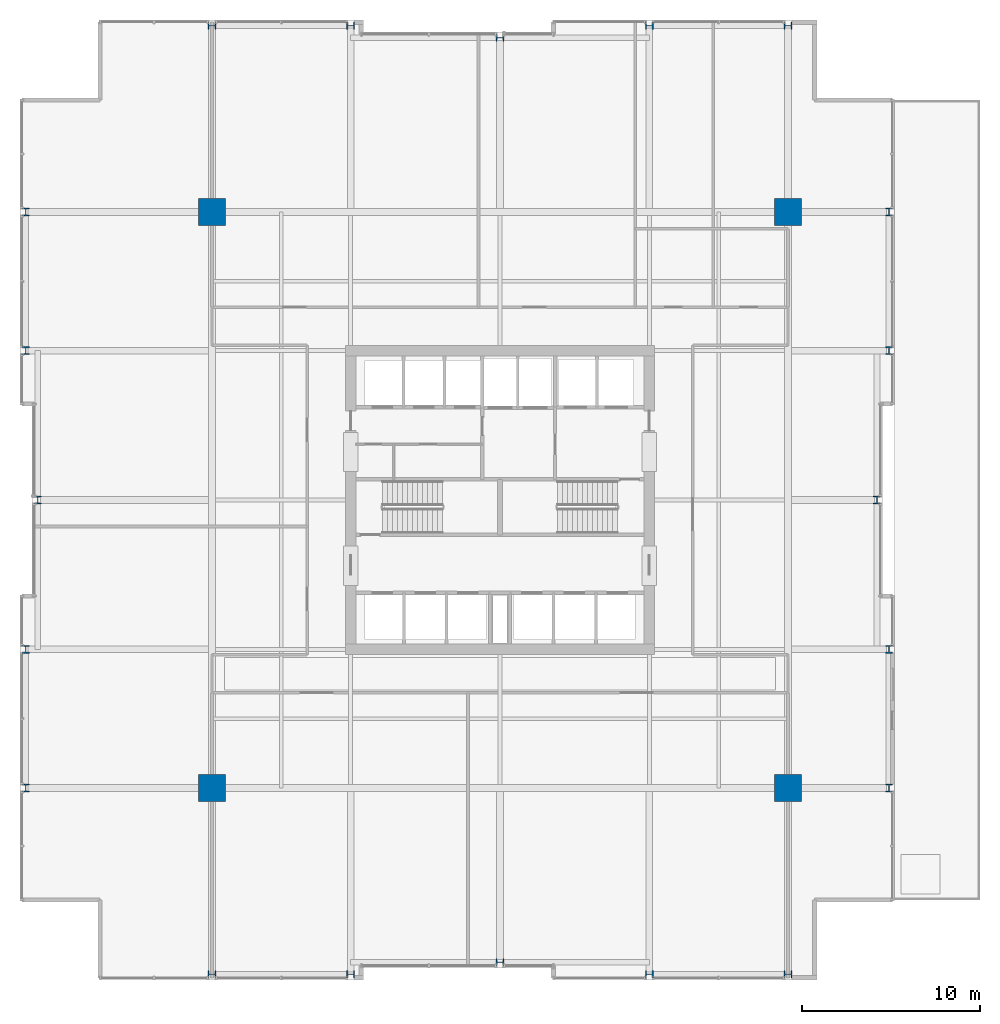
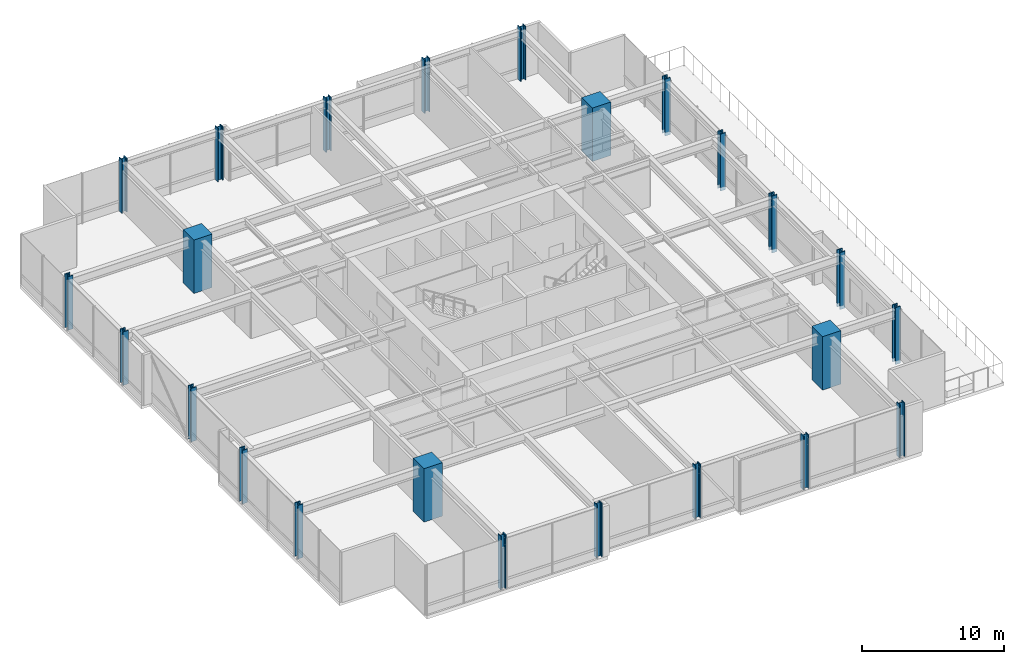
# One storey, part 1 of 33: 24 columns.
"""IFC4 building model written with IfcOpenShell, lengths in metres."""

import ifcopenshell
import ifcopenshell.guid

model = None  # the IFC model being written
_history = None  # IfcOwnerHistory: only IFC2X3 demands one
_inside = {}  # id of a spatial element -> (the spatial element, [elements in it])
_under = {}  # id of a project, library or spatial element -> (it, [spatial elements below it])
_declared = {}  # id of a project -> (the project, [libraries it declares])
_typed = {}  # id of a type object -> (the type object, [elements of that type])
_made_of = {}  # id of a material, layer set ... -> (it, [elements and type objects made of it])


def new_model(schema):
    """Start an empty IFC model of exactly this schema.

    Asked for "IFC4X3", IfcOpenShell would pick the latest addendum, in which some entities
    have other attributes; the version numbers below select the first issue.
    IFC2X3 requires an IfcOwnerHistory on every rooted entity: one is made here for all.
    """
    global model, _history
    if schema == "IFC4X3":
        model = ifcopenshell.file(schema_version=(4, 3, 0, 0))
    else:
        model = ifcopenshell.file(schema=schema)
    _inside.clear()
    _under.clear()
    _declared.clear()
    _typed.clear()
    _made_of.clear()
    _history = None
    if model.schema == "IFC2X3":
        org = make("IfcOrganization", Name="unknown")
        user = make(
            "IfcPersonAndOrganization",
            ThePerson=make("IfcPerson", FamilyName="unknown"),
            TheOrganization=org,
        )
        app = make(
            "IfcApplication",
            ApplicationDeveloper=org,
            Version="unknown",
            ApplicationFullName="unknown",
            ApplicationIdentifier="unknown",
        )
        _history = make(
            "IfcOwnerHistory",
            OwningUser=user,
            OwningApplication=app,
            ChangeAction="ADDED",
            CreationDate=0,
        )
    return model


def make(cls, **values):
    """One entity of the class cls with the attributes given. An attribute that is None is left unset."""
    return model.create_entity(
        cls, **{name: value for name, value in values.items() if value is not None}
    )


def rooted(cls, **values):
    """An entity with a GlobalId (a new one), such as an element, a storey or a relation."""
    return make(cls, GlobalId=ifcopenshell.guid.new(), OwnerHistory=_history, **values)


def si_unit(unit_type, name, prefix=None):
    """IfcSIUnit, for example si_unit("LENGTHUNIT", "METRE", prefix="MILLI")."""
    return make("IfcSIUnit", UnitType=unit_type, Prefix=prefix, Name=name)


def assignment(units):
    """IfcUnitAssignment: the units of a project."""
    return None if units is None else make("IfcUnitAssignment", Units=units)


def point(xyz):
    """IfcCartesianPoint."""
    return None if xyz is None else make("IfcCartesianPoint", Coordinates=xyz)


def direction(xyz):
    """IfcDirection."""
    return None if xyz is None else make("IfcDirection", DirectionRatios=xyz)


def frame(location, z_axis=None, x_axis=None):
    """IfcAxis2Placement3D, a coordinate frame: its origin and axes. An axis left out is left unset."""
    return make(
        "IfcAxis2Placement3D",
        Location=point(location),
        Axis=direction(z_axis),
        RefDirection=direction(x_axis),
    )


def frame_2d(location, x_axis=None):
    """IfcAxis2Placement2D, a coordinate frame in the plane: its origin and x axis."""
    return make(
        "IfcAxis2Placement2D", Location=point(location), RefDirection=direction(x_axis)
    )


def origin():
    """The frame at (0, 0, 0) with its axes left unset."""
    return frame((0.0, 0.0, 0.0))


def origin_2d():
    """The frame at (0, 0) in the plane with its x axis left unset."""
    return frame_2d((0.0, 0.0))


def place(relative_to, where):
    """IfcLocalPlacement: puts the frame where relative to a parent placement (None: the world)."""
    return make(
        "IfcLocalPlacement", PlacementRelTo=relative_to, RelativePlacement=where
    )


def context(
    kind, dimensions, precision=None, world=None, true_north=None, identifier=None
):
    """IfcGeometricRepresentationContext, for example the 3D "Model" context."""
    return make(
        "IfcGeometricRepresentationContext",
        ContextIdentifier=identifier,
        ContextType=kind,
        CoordinateSpaceDimension=dimensions,
        Precision=precision,
        WorldCoordinateSystem=world,
        TrueNorth=true_north,
    )


def subcontext(parent, identifier, kind, view, scale=None):
    """IfcGeometricRepresentationSubContext, for example "Body" below "Model"."""
    return make(
        "IfcGeometricRepresentationSubContext",
        ContextIdentifier=identifier,
        ContextType=kind,
        ParentContext=parent,
        TargetScale=scale,
        TargetView=view,
    )


def project(units=None, contexts=None):
    """IfcProject with its units and contexts."""
    return rooted(
        "IfcProject",
        Name="project",
        RepresentationContexts=contexts,
        UnitsInContext=assignment(units),
    )


def spatial(cls, under=None, at=None, **own):
    """A site, building, storey or space (cls), placed at a placement, below another one or the project."""
    s = rooted(cls, ObjectPlacement=at, **own)
    if under is not None:
        _under.setdefault(under.id(), (under, []))[1].append(s)
    return s


def profile(cls, at=None, kind="AREA", **sizes):
    """A parametric profile (cls). Its sizes go by their IFC names, for example OverallWidth=200.0."""
    return make(cls, ProfileType=kind, Position=at, **sizes)


def rectangle(**sizes):
    """IfcRectangleProfileDef."""
    return profile("IfcRectangleProfileDef", **sizes)


def i_section(**sizes):
    """IfcIShapeProfileDef."""
    return profile("IfcIShapeProfileDef", **sizes)


def extrude(swept, where, along, depth):
    """IfcExtrudedAreaSolid: the profile swept, set in the frame where, extruded along a direction by depth."""
    return make(
        "IfcExtrudedAreaSolid",
        SweptArea=swept,
        Position=where,
        ExtrudedDirection=direction(along),
        Depth=depth,
    )


def shape(context_of_items, identifier, shape_type, items):
    """IfcShapeRepresentation: the items that make up one representation, for example the "Body"."""
    return make(
        "IfcShapeRepresentation",
        ContextOfItems=context_of_items,
        RepresentationIdentifier=identifier,
        RepresentationType=shape_type,
        Items=items,
    )


def material(Name=None, Category=None):
    """IfcMaterial."""
    return make("IfcMaterial", Name=Name, Category=Category)


def material_profile(
    of_material, cross_section, Name=None, Category=None, Priority=None
):
    """IfcMaterialProfile: a cross section and its material."""
    return make(
        "IfcMaterialProfile",
        Name=Name,
        Material=of_material,
        Profile=cross_section,
        Priority=Priority,
        Category=Category,
    )


def profile_set(profiles, Name=None, composite=None):
    """IfcMaterialProfileSet."""
    return make(
        "IfcMaterialProfileSet",
        Name=Name,
        MaterialProfiles=profiles,
        CompositeProfile=composite,
    )


def made_of(thing, what):
    """Note that an element or type object is made of a material, layer set ...; save() writes the relation."""
    if what is not None:
        _made_of.setdefault(what.id(), (what, []))[1].append(thing)
    return thing


def type_object(cls, material=None, **own):
    """A type object (cls), such as IfcWallType, which elements share."""
    return made_of(rooted(cls, **own), material)


def element(
    cls,
    number,
    at=None,
    inside=None,
    cuts=None,
    type_object=None,
    material=None,
    context=None,
    identifier="Body",
    shape_type=None,
    held_by="IfcProductDefinitionShape",
    body=None,
    shapes=None,
    **own,
):
    """One element of the class cls, such as IfcWall. Its Tag is "e" and its number.

    at: its placement. inside: the storey or other place that contains it. cuts: it is an
    opening in that element (IfcRelVoidsElement). A single representation is given by context,
    identifier, shape_type and body (its items); several are given by shapes. held_by: the class
    of the entity that holds the representations. save() writes the other relations.
    """
    e = rooted(cls, Tag="e%d" % number, ObjectPlacement=at, **own)
    if body is not None:
        shapes = [shape(context, identifier, shape_type, body)]
    if shapes is not None:
        e.Representation = make(held_by, Representations=shapes)
    if inside is not None:
        _inside.setdefault(inside.id(), (inside, []))[1].append(e)
    if cuts is not None:
        rooted(
            "IfcRelVoidsElement", RelatingBuildingElement=cuts, RelatedOpeningElement=e
        )
    if type_object is not None:
        _typed.setdefault(type_object.id(), (type_object, []))[1].append(e)
    return made_of(e, material)


def aggregate(whole, parts):
    """IfcRelAggregates: a whole, such as a stair, and the parts it consists of."""
    return rooted("IfcRelAggregates", RelatingObject=whole, RelatedObjects=parts)


def save(model, path):
    """Write the relations noted so far, then the file.

    IfcRelAggregates (storeys below a building ...), IfcRelContainedInSpatialStructure (elements
    in a storey), IfcRelDefinesByType, IfcRelAssociatesMaterial and IfcRelDeclares: one each for
    every whole, place, type object, material and project.
    """
    for whole, parts in _under.values():
        aggregate(whole, parts)
    for where, things in _inside.values():
        rooted(
            "IfcRelContainedInSpatialStructure",
            RelatedElements=things,
            RelatingStructure=where,
        )
    for kind, things in _typed.values():
        rooted("IfcRelDefinesByType", RelatedObjects=things, RelatingType=kind)
    for what, things in _made_of.values():
        rooted("IfcRelAssociatesMaterial", RelatedObjects=things, RelatingMaterial=what)
    for by, libraries in _declared.values():
        rooted("IfcRelDeclares", RelatingContext=by, RelatedDefinitions=libraries)
    model.write(path)


model = new_model("IFC4")

# Units and contexts
model_context = context("Model", 3, precision=1e-05, world=origin(), true_north=direction((0.0, 1.0)))
body_context = subcontext(model_context, "Body", "Model", "MODEL_VIEW")
ifc_project = project(units=[si_unit("LENGTHUNIT", "METRE"), si_unit("AREAUNIT", "SQUARE_METRE"), si_unit("VOLUMEUNIT", "CUBIC_METRE"), si_unit("PLANEANGLEUNIT", "RADIAN"), si_unit("MASSUNIT", "GRAM", prefix="KILO")], contexts=[model_context])

# Site, building, storey
site_placement = place(None, origin())
site = spatial("IfcSite", under=ifc_project, at=site_placement, CompositionType="ELEMENT")
building_placement = place(site_placement, origin())
building = spatial("IfcBuilding", under=site, at=building_placement, Name="Drelvath Grand Hotel", CompositionType="ELEMENT")
storey_placement = place(building_placement, frame((0.0, 0.0, 87.199951171875)))
storey = spatial("IfcBuildingStorey", under=building, at=storey_placement, Name="L21", CompositionType="ELEMENT", Elevation=87.199951171875)

# Columns
ifc_material_1 = material(Name="Concrete f'c 70 MPa", Category="concrete")
ifc_material_profile_1 = material_profile(ifc_material_1, rectangle(XDim=1.5, YDim=1.5, at=origin_2d()), Name="MC1500X1500")
ifc_profile_set_1 = profile_set([ifc_material_profile_1], Name="Concrete f'c 70 MPa")
column_type_1 = type_object("IfcColumnType", Name="Composite Mega Column MC1500X1500", PredefinedType="COLUMN", material=ifc_profile_set_1)
for number, where, z_axis, x_axis, name in (
    (1, (-16.199951171875, 10.800048828125, 0.0), (0.0, 0.0, 1.0), (1.0, 0.0, 0.0), "L21 Composite Mega Column MC-SW"),
    (2, (16.199951171875, 10.800048828125, 0.0), (0.0, 0.0, 1.0), (1.0, 0.0, 0.0), "L21 Composite Mega Column MC-SE"),
    (3, (-16.199951171875, 43.199951171875, 0.0), (0.0, 0.0, 1.0), (1.0, 0.0, 0.0), "L21 Composite Mega Column MC-NW"),
    (4, (16.199951171875, 43.199951171875, 0.0), (0.0, 0.0, 1.0), (1.0, 0.0, 0.0), "L21 Composite Mega Column MC-NE"),
):
    element("IfcColumn", number, at=place(storey_placement, frame(where, z_axis=z_axis, x_axis=x_axis)), inside=storey, type_object=column_type_1, Name=name, PredefinedType="COLUMN", context=body_context, shape_type="SweptSolid", body=[
        extrude(rectangle(XDim=1.5, YDim=1.5, at=origin_2d()), origin(), (0.0, 0.0, 1.0), 4.60009765625),
    ])
ifc_material_2 = material(Name="Steel ASTM A913 Gr 65", Category="steel")
ifc_material_profile_2 = material_profile(ifc_material_2, i_section(OverallWidth=0.41845703125, OverallDepth=0.455078125, WebThickness=0.0419921875, FlangeThickness=0.067626953125, FilletRadius=0.030029296875, at=origin_2d()), Name="W14X370")
ifc_profile_set_2 = profile_set([ifc_material_profile_2], Name="Steel ASTM A913 Gr 65")
column_type_2 = type_object("IfcColumnType", Name="Perimeter Steel Column W14X370", PredefinedType="COLUMN", material=ifc_profile_set_2)
column_1_placement = place(storey_placement, frame((-26.679931640625, 10.800048828125, 0.0), z_axis=(0.0, 0.0, 1.0), x_axis=(1.0, 0.0, 0.0)))
element("IfcColumn", 5, at=column_1_placement, inside=storey, type_object=column_type_2, Name="L21 Structural Column TCW-C", PredefinedType="COLUMN", context=body_context, shape_type="SweptSolid", body=[
    extrude(i_section(OverallWidth=0.41845703125, OverallDepth=0.455078125, WebThickness=0.0419921875, FlangeThickness=0.067626953125, FilletRadius=0.030029296875, at=origin_2d()), origin(), (0.0, 0.0, 1.0), 4.59716796875),
])
column_2_placement = place(storey_placement, frame((21.8798828125, 10.800048828125, -0.300048828125), z_axis=(0.0, 0.0, 1.0), x_axis=(1.0, 0.0, 0.0)))
element("IfcColumn", 6, at=column_2_placement, inside=storey, type_object=column_type_2, Name="L21 Structural Column TCE-C", PredefinedType="COLUMN", context=body_context, shape_type="SweptSolid", body=[
    extrude(i_section(OverallWidth=0.41845703125, OverallDepth=0.455078125, WebThickness=0.0419921875, FlangeThickness=0.067626953125, FilletRadius=0.030029296875, at=origin_2d()), origin(), (0.0, 0.0, 1.0), 4.897216796875),
])
column_3_placement = place(storey_placement, frame((-26.679931640625, 18.60009765625, 0.0), z_axis=(0.0, 0.0, 1.0), x_axis=(1.0, 0.0, 0.0)))
element("IfcColumn", 7, at=column_3_placement, inside=storey, type_object=column_type_2, Name="L21 Structural Column TCW-D", PredefinedType="COLUMN", context=body_context, shape_type="SweptSolid", body=[
    extrude(i_section(OverallWidth=0.41845703125, OverallDepth=0.455078125, WebThickness=0.0419921875, FlangeThickness=0.067626953125, FilletRadius=0.030029296875, at=origin_2d()), origin(), (0.0, 0.0, 1.0), 4.59716796875),
])
column_4_placement = place(storey_placement, frame((21.8798828125, 18.60009765625, -0.300048828125), z_axis=(0.0, 0.0, 1.0), x_axis=(1.0, 0.0, 0.0)))
element("IfcColumn", 8, at=column_4_placement, inside=storey, type_object=column_type_2, Name="L21 Structural Column TCE-D", PredefinedType="COLUMN", context=body_context, shape_type="SweptSolid", body=[
    extrude(i_section(OverallWidth=0.41845703125, OverallDepth=0.455078125, WebThickness=0.0419921875, FlangeThickness=0.067626953125, FilletRadius=0.030029296875, at=origin_2d()), origin(), (0.0, 0.0, 1.0), 4.897216796875),
])
column_5_placement = place(storey_placement, frame((-26.0, 27.0, 0.0), z_axis=(0.0, 0.0, 1.0), x_axis=(1.0, 0.0, 0.0)))
element("IfcColumn", 9, at=column_5_placement, inside=storey, type_object=column_type_2, Name="L21 Structural Column TCW-E", PredefinedType="COLUMN", context=body_context, shape_type="SweptSolid", body=[
    extrude(i_section(OverallWidth=0.41845703125, OverallDepth=0.455078125, WebThickness=0.0419921875, FlangeThickness=0.067626953125, FilletRadius=0.030029296875, at=origin_2d()), origin(), (0.0, 0.0, 1.0), 4.59716796875),
])
column_6_placement = place(storey_placement, frame((21.199951171875, 27.0, -0.300048828125), z_axis=(0.0, 0.0, 1.0), x_axis=(1.0, 0.0, 0.0)))
element("IfcColumn", 10, at=column_6_placement, inside=storey, type_object=column_type_2, Name="L21 Structural Column TCE-E", PredefinedType="COLUMN", context=body_context, shape_type="SweptSolid", body=[
    extrude(i_section(OverallWidth=0.41845703125, OverallDepth=0.455078125, WebThickness=0.0419921875, FlangeThickness=0.067626953125, FilletRadius=0.030029296875, at=origin_2d()), origin(), (0.0, 0.0, 1.0), 4.897216796875),
])
column_7_placement = place(storey_placement, frame((-26.679931640625, 35.39990234375, 0.0), z_axis=(0.0, 0.0, 1.0), x_axis=(1.0, 0.0, 0.0)))
element("IfcColumn", 11, at=column_7_placement, inside=storey, type_object=column_type_2, Name="L21 Structural Column TCW-F", PredefinedType="COLUMN", context=body_context, shape_type="SweptSolid", body=[
    extrude(i_section(OverallWidth=0.41845703125, OverallDepth=0.455078125, WebThickness=0.0419921875, FlangeThickness=0.067626953125, FilletRadius=0.030029296875, at=origin_2d()), origin(), (0.0, 0.0, 1.0), 4.59716796875),
])
column_8_placement = place(storey_placement, frame((21.8798828125, 35.39990234375, -0.300048828125), z_axis=(0.0, 0.0, 1.0), x_axis=(1.0, 0.0, 0.0)))
element("IfcColumn", 12, at=column_8_placement, inside=storey, type_object=column_type_2, Name="L21 Structural Column TCE-F", PredefinedType="COLUMN", context=body_context, shape_type="SweptSolid", body=[
    extrude(i_section(OverallWidth=0.41845703125, OverallDepth=0.455078125, WebThickness=0.0419921875, FlangeThickness=0.067626953125, FilletRadius=0.030029296875, at=origin_2d()), origin(), (0.0, 0.0, 1.0), 4.897216796875),
])
column_9_placement = place(storey_placement, frame((-26.679931640625, 43.199951171875, 0.0), z_axis=(0.0, 0.0, 1.0), x_axis=(1.0, 0.0, 0.0)))
element("IfcColumn", 13, at=column_9_placement, inside=storey, type_object=column_type_2, Name="L21 Structural Column TCW-G", PredefinedType="COLUMN", context=body_context, shape_type="SweptSolid", body=[
    extrude(i_section(OverallWidth=0.41845703125, OverallDepth=0.455078125, WebThickness=0.0419921875, FlangeThickness=0.067626953125, FilletRadius=0.030029296875, at=origin_2d()), origin(), (0.0, 0.0, 1.0), 4.59716796875),
])
column_10_placement = place(storey_placement, frame((21.8798828125, 43.199951171875, -0.300048828125), z_axis=(0.0, 0.0, 1.0), x_axis=(1.0, 0.0, 0.0)))
element("IfcColumn", 14, at=column_10_placement, inside=storey, type_object=column_type_2, Name="L21 Structural Column TCE-G", PredefinedType="COLUMN", context=body_context, shape_type="SweptSolid", body=[
    extrude(i_section(OverallWidth=0.41845703125, OverallDepth=0.455078125, WebThickness=0.0419921875, FlangeThickness=0.067626953125, FilletRadius=0.030029296875, at=origin_2d()), origin(), (0.0, 0.0, 1.0), 4.897216796875),
])
for number, where, z_axis, x_axis, name in (
    (15, (-16.199951171875, 0.320068359375, 0.0), (0.0, 0.0, 1.0), (0.0, 1.0, 0.0), "L21 Structural Column TCS-3"),
    (16, (-16.199951171875, 53.679931640625, 0.0), (0.0, 0.0, 1.0), (0.0, 1.0, 0.0), "L21 Structural Column TCN-3"),
    (17, (-8.39990234375, 0.320068359375, 0.0), (0.0, 0.0, 1.0), (0.0, 1.0, 0.0), "L21 Structural Column TCS-4"),
    (18, (-8.39990234375, 53.679931640625, 0.0), (0.0, 0.0, 1.0), (0.0, 1.0, 0.0), "L21 Structural Column TCN-4"),
    (19, (0.0, 1.0, 0.0), (0.0, 0.0, 1.0), (0.0, 1.0, 0.0), "L21 Structural Column TCS-5"),
    (20, (0.0, 53.0, 0.0), (0.0, 0.0, 1.0), (0.0, 1.0, 0.0), "L21 Structural Column TCN-5"),
    (21, (8.39990234375, 0.320068359375, 0.0), (0.0, 0.0, 1.0), (0.0, 1.0, 0.0), "L21 Structural Column TCS-6"),
    (22, (8.39990234375, 53.679931640625, 0.0), (0.0, 0.0, 1.0), (0.0, 1.0, 0.0), "L21 Structural Column TCN-6"),
    (23, (16.199951171875, 0.320068359375, 0.0), (0.0, 0.0, 1.0), (0.0, 1.0, 0.0), "L21 Structural Column TCS-7"),
    (24, (16.199951171875, 53.679931640625, 0.0), (0.0, 0.0, 1.0), (0.0, 1.0, 0.0), "L21 Structural Column TCN-7"),
):
    element("IfcColumn", number, at=place(storey_placement, frame(where, z_axis=z_axis, x_axis=x_axis)), inside=storey, type_object=column_type_2, Name=name, PredefinedType="COLUMN", context=body_context, shape_type="SweptSolid", body=[
        extrude(i_section(OverallWidth=0.41845703125, OverallDepth=0.455078125, WebThickness=0.0419921875, FlangeThickness=0.067626953125, FilletRadius=0.030029296875, at=origin_2d()), origin(), (0.0, 0.0, 1.0), 4.59716796875),
    ])

save(model, "model.ifc")
